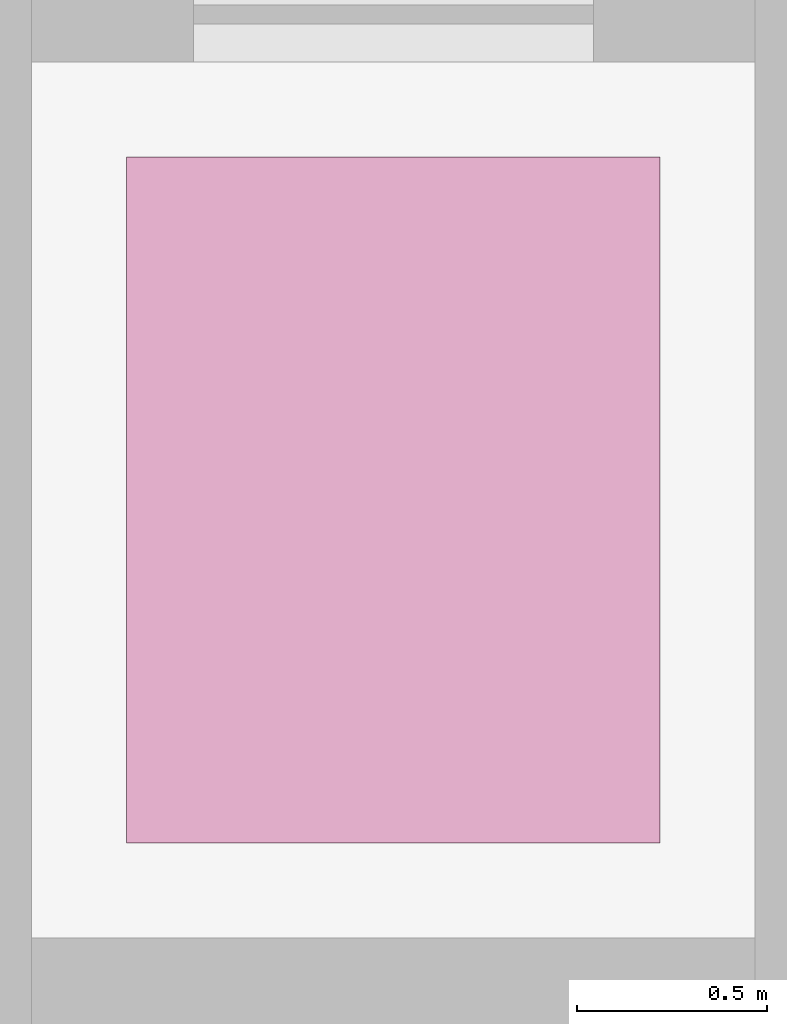
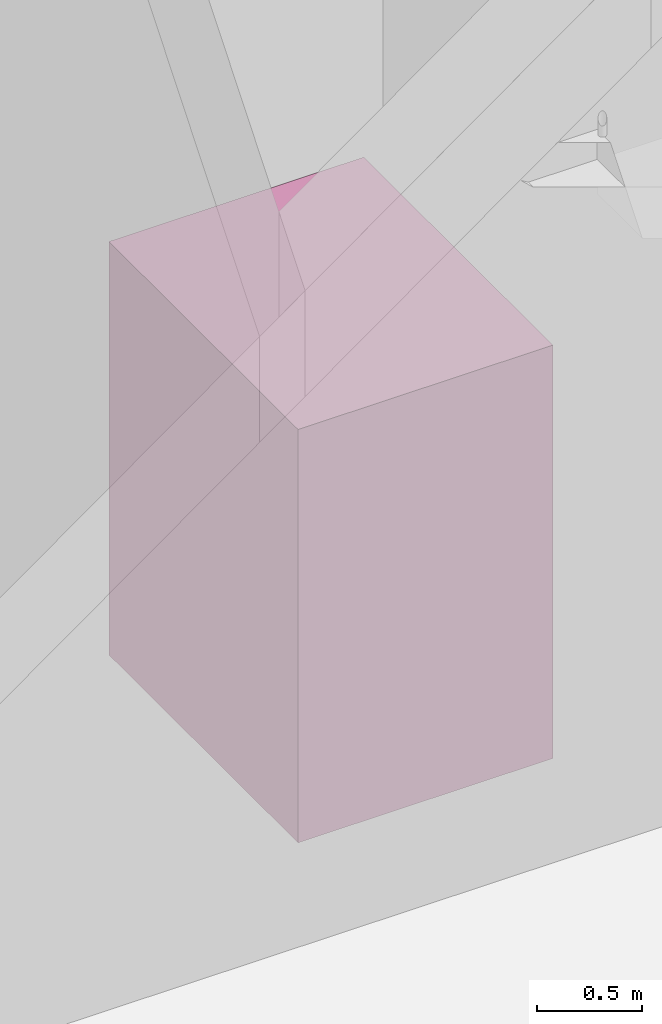
# One storey, part 14 of 14: 1 transport element.
"""IFC4 building model written with IfcOpenShell, lengths in metres."""

from ifc_helpers import new_model, si_unit, direction, frame, origin, origin_2d, place, context, subcontext, project, spatial, rectangle, extrude, material, type_object, element, save


model = new_model("IFC4")

# Units and contexts
model_context = context("Model", 3, precision=1e-05, world=origin(), true_north=direction((0.0, 1.0)))
body_context = subcontext(model_context, "Body", "Model", "MODEL_VIEW")
ifc_project = project(units=[si_unit("LENGTHUNIT", "METRE"), si_unit("AREAUNIT", "SQUARE_METRE"), si_unit("VOLUMEUNIT", "CUBIC_METRE"), si_unit("PLANEANGLEUNIT", "RADIAN"), si_unit("MASSUNIT", "GRAM", prefix="KILO")], contexts=[model_context])

# Site, building, storey
site_placement = place(None, origin())
site = spatial("IfcSite", under=ifc_project, at=site_placement, CompositionType="ELEMENT")
building_placement = place(site_placement, origin())
building = spatial("IfcBuilding", under=site, at=building_placement, Name="Vermilion Court Aquatics Centre", CompositionType="ELEMENT")
storey_placement = place(building_placement, frame((0.0, 0.0, -8.0)))
storey = spatial("IfcBuildingStorey", under=building, at=storey_placement, Name="B1", CompositionType="ELEMENT", Elevation=-8.0)

# Transport element
ifc_material = material(Name="Stainless steel ASTM A240 Type 316", Category="steel")
transport_element_type = type_object("IfcTransportElementType", Name="Hall plant lift car 1400x1800", PredefinedType="ELEVATOR", material=ifc_material)
transport_element_placement = place(storey_placement, frame((23.949951171875, 20.550048828125, 0.0), z_axis=(0.0, 0.0, 1.0), x_axis=(1.0, 0.0, 0.0)))
element("IfcTransportElement", 1, at=transport_element_placement, inside=storey, type_object=transport_element_type, Name="Plant lift PL1", PredefinedType="ELEVATOR", context=body_context, shape_type="SweptSolid", body=[
    extrude(rectangle(XDim=1.39990234375, YDim=1.800048828125, at=origin_2d()), origin(), (0.0, 0.0, 1.0), 2.39990234375),
])

save(model, "model.ifc")
